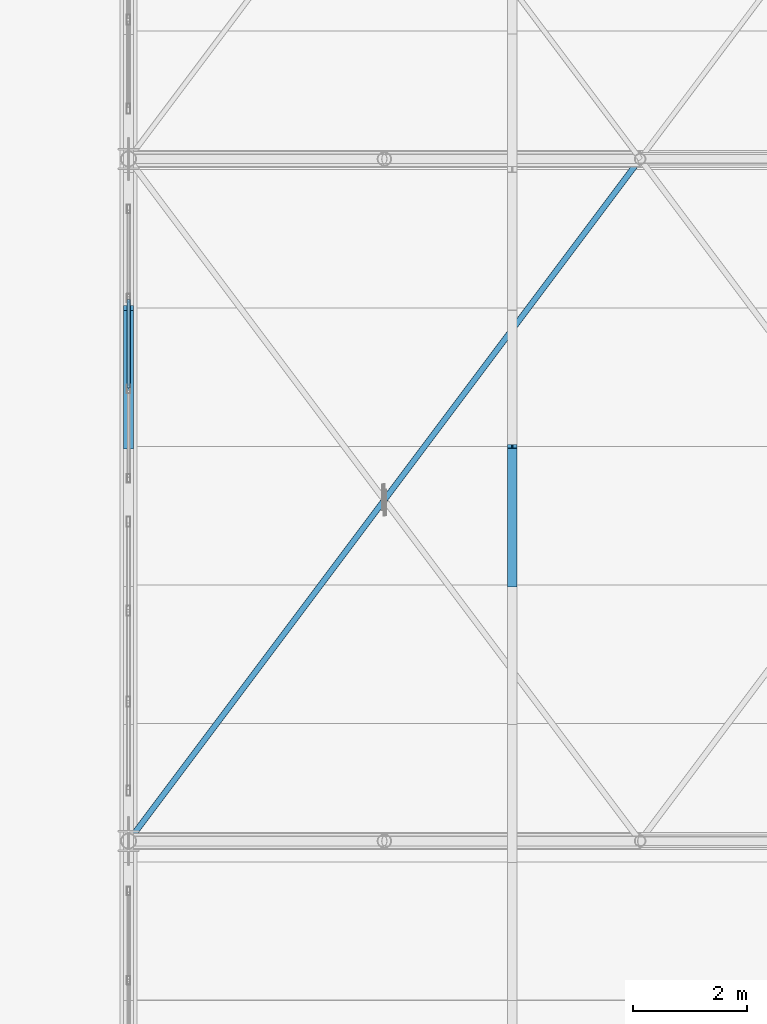
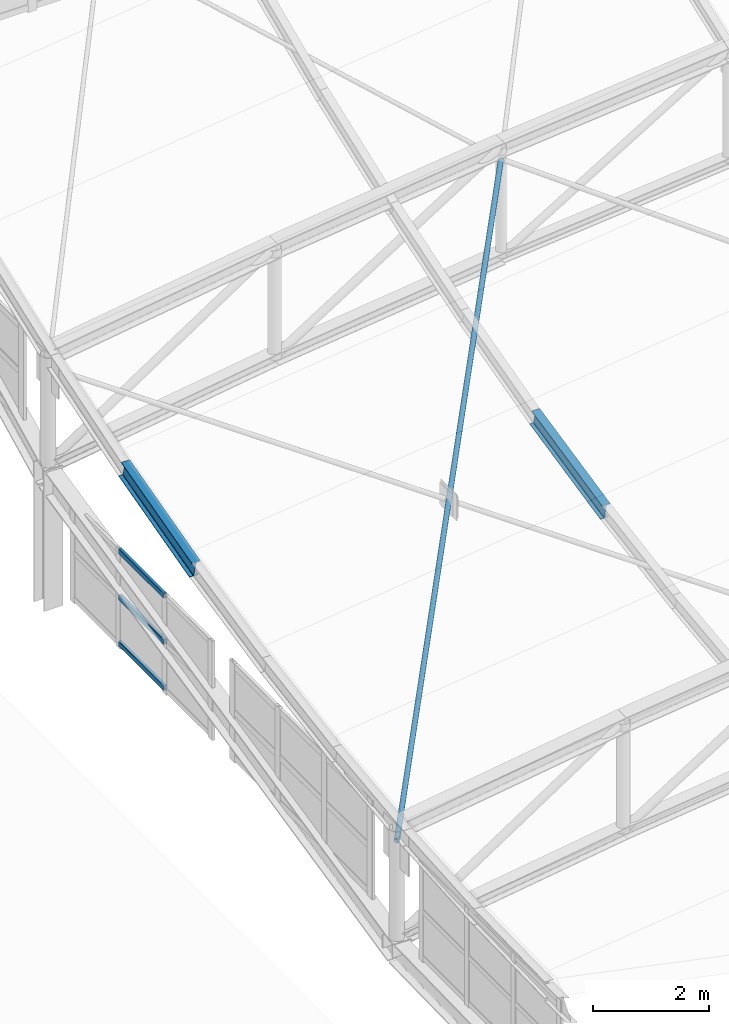
# One storey, part 111 of 262: 6 members, 1 element without a shape of its own.
"""IFC4 building model written with IfcOpenShell, lengths in metres."""

from ifc_helpers import new_model, si_unit, derived_unit, direction, frame, origin, origin_2d, place, context, subcontext, project, spatial, hollow_rectangle, hollow_circle, i_section, extrude, material, layer, layer_set, material_profile, profile_set, type_object, element, aggregate, save


model = new_model("IFC4")

# Units and contexts
model_context = context("Model", 3, precision=1e-05, world=origin(), true_north=direction((0.0, 1.0)))
body_context = subcontext(model_context, "Body", "Model", "MODEL_VIEW")
ifc_project = project(units=[si_unit("LENGTHUNIT", "METRE"), si_unit("AREAUNIT", "SQUARE_METRE"), si_unit("VOLUMEUNIT", "CUBIC_METRE"), si_unit("PLANEANGLEUNIT", "RADIAN"), si_unit("MASSUNIT", "GRAM", prefix="KILO"), derived_unit("THERMALTRANSMITTANCEUNIT", [(si_unit("POWERUNIT", "WATT"), 1), (si_unit("LENGTHUNIT", "METRE"), -2), (si_unit("THERMODYNAMICTEMPERATUREUNIT", "KELVIN"), -1)])], contexts=[model_context])

# Site, building, storey
site_placement = place(None, origin())
site = spatial("IfcSite", under=ifc_project, at=site_placement, CompositionType="ELEMENT")
building_placement = place(site_placement, origin())
building = spatial("IfcBuilding", under=site, at=building_placement, Name="Almenara Railside Exhibition Hall", CompositionType="ELEMENT")
storey_placement = place(building_placement, frame((0.0, 0.0, 21.699951171875)))
storey = spatial("IfcBuildingStorey", under=building, at=storey_placement, Name="RF", CompositionType="ELEMENT", Elevation=21.699951171875)

# Curtain wall, members
ifc_material_1 = material(Name="Bronze-anodised aluminium and low-E double glazing", Category="aluminium")
ifc_layer = layer(ifc_material_1, 0.179931640625, Name="Bronze-anodised aluminium and low-E double glazing")
ifc_layer_set = layer_set([ifc_layer], Name="Bronze-anodised aluminium and low-E double glazing")
curtain_wall_type = type_object("IfcCurtainWallType", Name="West Hall Clerestory Curtain Wall 4200x2400", PredefinedType="NOTDEFINED", material=ifc_layer_set)
curtain_wall_placement = place(storey_placement, origin())
curtain_wall = element("IfcCurtainWall", 1, at=curtain_wall_placement, inside=storey, type_object=curtain_wall_type, Name="Curtain wall CW-CL1-189", PredefinedType="NOTDEFINED")
ifc_material_2 = material(Name="Bronze-anodised aluminium", Category="aluminium")
ifc_material_profile_1 = material_profile(ifc_material_2, hollow_rectangle(XDim=0.06005859375, YDim=0.110107421875, WallThickness=0.0029296875, InnerFilletRadius=0.0029296875, OuterFilletRadius=0.006103515625, at=origin_2d()), Name="ALU-TRN 60x110x3")
ifc_profile_set_1 = profile_set([ifc_material_profile_1], Name="Bronze-anodised aluminium")
member_type_1 = type_object("IfcMemberType", Name="Curtain Wall Transom 60x110x3", PredefinedType="USERDEFINED", material=ifc_profile_set_1)
member_1_placement = place(storey_placement, frame((12.0, 115.971923828125, -1.73486328125), z_axis=(0.0, 1.0, 0.0), x_axis=(-1.0, 0.0, 0.0)))
member_1 = element("IfcMember", 2, at=member_1_placement, type_object=member_type_1, Name="CW-CL1-189 transom 2.1", ObjectType="TRANSOM", PredefinedType="USERDEFINED", context=body_context, shape_type="SweptSolid", body=[
    extrude(hollow_rectangle(XDim=0.06005859375, YDim=0.110107421875, WallThickness=0.0029296875, InnerFilletRadius=0.0029296875, OuterFilletRadius=0.006103515625, at=origin_2d()), origin(), (0.0, 0.0, 1.0), 1.55615234375),
])
member_2_placement = place(storey_placement, frame((12.0, 115.971923828125, -0.764892578125), z_axis=(0.0, 1.0, 0.0), x_axis=(-1.0, 0.0, 0.0)))
member_2 = element("IfcMember", 3, at=member_2_placement, type_object=member_type_1, Name="CW-CL1-189 transom 2.2", ObjectType="TRANSOM", PredefinedType="USERDEFINED", context=body_context, shape_type="SweptSolid", body=[
    extrude(hollow_rectangle(XDim=0.06005859375, YDim=0.110107421875, WallThickness=0.0029296875, InnerFilletRadius=0.0029296875, OuterFilletRadius=0.006103515625, at=origin_2d()), origin(), (0.0, 0.0, 1.0), 1.55615234375),
])
member_3_placement = place(storey_placement, frame((12.0, 115.971923828125, 0.205078125), z_axis=(0.0, 1.0, 0.0), x_axis=(-1.0, 0.0, 0.0)))
member_3 = element("IfcMember", 4, at=member_3_placement, type_object=member_type_1, Name="CW-CL1-189 transom 2.3", ObjectType="TRANSOM", PredefinedType="USERDEFINED", context=body_context, shape_type="SweptSolid", body=[
    extrude(hollow_rectangle(XDim=0.06005859375, YDim=0.110107421875, WallThickness=0.0029296875, InnerFilletRadius=0.0029296875, OuterFilletRadius=0.006103515625, at=origin_2d()), origin(), (0.0, 0.0, 1.0), 1.55615234375),
])
aggregate(curtain_wall, [member_1, member_2, member_3])

# Members
ifc_material_3 = material(Name="Structural steel S355JR", Category="steel")
ifc_material_profile_2 = material_profile(ifc_material_3, i_section(OverallWidth=0.159912109375, OverallDepth=0.330078125, WebThickness=0.007568359375, FlangeThickness=0.011474609375, FilletRadius=0.01806640625, at=origin_2d()), Name="IPE 330")
ifc_profile_set_2 = profile_set([ifc_material_profile_2], Name="Structural steel S355JR")
member_type_2 = type_object("IfcMemberType", Name="Gable Bay Purlin IPE 330 S355JR", PredefinedType="PURLIN", material=ifc_profile_set_2)
member_4_placement = place(storey_placement, frame((18.75, 112.50634765625, 1.70703125), z_axis=(0.0, 0.977496103583, 0.210953472309), x_axis=(-1.0, 0.0, 0.0)))
element("IfcMember", 5, at=member_4_placement, inside=storey, type_object=member_type_2, Name="MEM-PR-V1-PR-IPE330-01-20", PredefinedType="PURLIN", context=body_context, shape_type="SweptSolid", body=[
    extrude(i_section(OverallWidth=0.159912109375, OverallDepth=0.330078125, WebThickness=0.007568359375, FlangeThickness=0.011474609375, FilletRadius=0.01806640625, at=origin_2d()), origin(), (0.0, 0.0, 1.0), 2.492919921875),
])
ifc_material_profile_3 = material_profile(ifc_material_3, i_section(OverallWidth=0.169921875, OverallDepth=0.360107421875, WebThickness=0.008056640625, FlangeThickness=0.0126953125, FilletRadius=0.01806640625, at=origin_2d()), Name="IPE 360")
ifc_profile_set_3 = profile_set([ifc_material_profile_3], Name="Structural steel S355JR")
member_type_3 = type_object("IfcMemberType", Name="Long-Span Scroll Purlin IPE 360 S355JR", PredefinedType="PURLIN", material=ifc_profile_set_3)
member_5_placement = place(storey_placement, frame((12.0, 114.943115234375, 1.384033203125), z_axis=(0.0, 0.966201190487, 0.257789176462), x_axis=(-1.0, 0.0, 0.0)))
element("IfcMember", 6, at=member_5_placement, inside=storey, type_object=member_type_3, Name="MEM-PR-V1-PR-IPE360-00-21", PredefinedType="PURLIN", context=body_context, shape_type="SweptSolid", body=[
    extrude(i_section(OverallWidth=0.169921875, OverallDepth=0.360107421875, WebThickness=0.008056640625, FlangeThickness=0.0126953125, FilletRadius=0.01806640625, at=origin_2d()), origin(), (0.0, 0.0, 1.0), 2.52197265625),
])
ifc_material_profile_4 = material_profile(ifc_material_3, hollow_circle(Radius=0.05078125, WallThickness=0.00390625, at=origin_2d()), Name="CHS 101.6x4")
ifc_profile_set_4 = profile_set([ifc_material_profile_4], Name="Structural steel S355JR")
member_type_4 = type_object("IfcMemberType", Name="Scroll Wind Plan Brace CHS 101.6x4 S355JR", PredefinedType="BRACE", material=ifc_profile_set_4)
member_6_placement = place(storey_placement, frame((12.0, 108.0, -0.115234375), z_axis=(0.58070593189, 0.774274575853, 0.251554172807), x_axis=(-0.8, 0.6, 0.0)))
element("IfcMember", 7, at=member_6_placement, inside=storey, type_object=member_type_4, Name="MEM-WB-V1-WB-CHS102-05-00-C", PredefinedType="BRACE", context=body_context, shape_type="SweptSolid", body=[
    extrude(hollow_circle(Radius=0.05078125, WallThickness=0.00390625, at=origin_2d()), origin(), (0.0, 0.0, 1.0), 15.498291015625),
])

save(model, "model.ifc")
